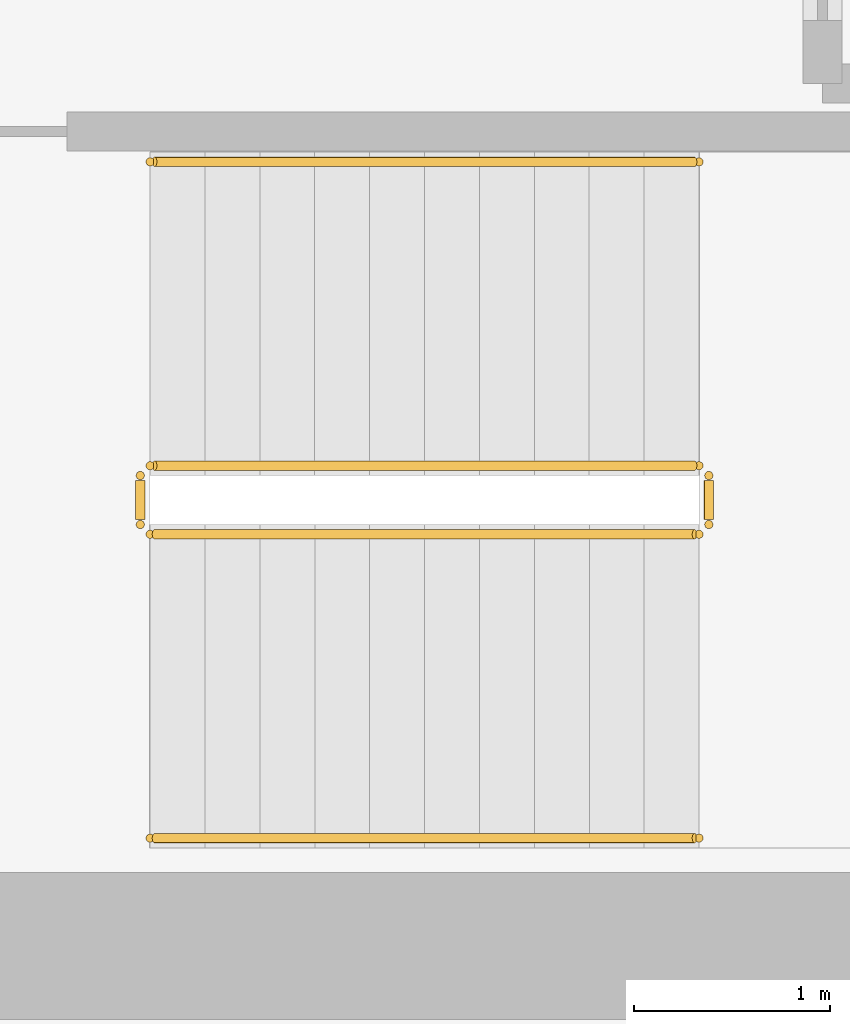
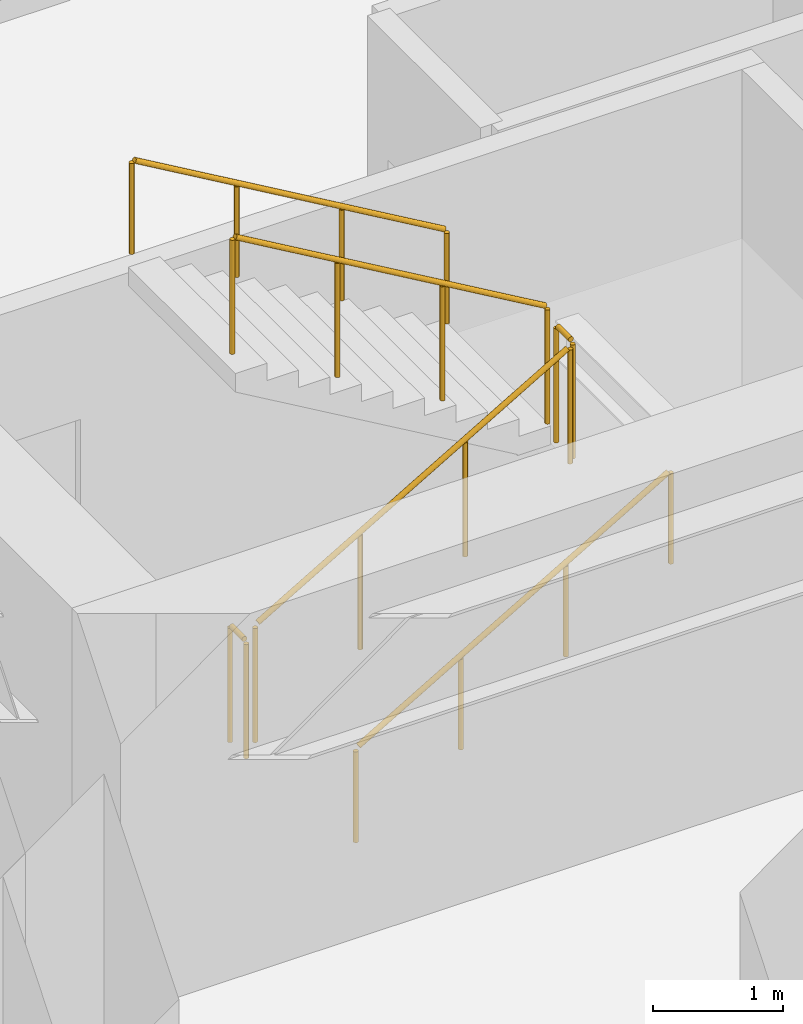
# One storey, part 14 of 14: 6 railings.
"""IFC4 building model written with IfcOpenShell, lengths in metres."""

from ifc_helpers import new_model, si_unit, direction, frame, origin, origin_2d, place, context, subcontext, project, spatial, circle, extrude, source, transform, mapped, material, layer, layer_set, type_object, element, save


model = new_model("IFC4")

# Units and contexts
model_context = context("Model", 3, precision=1e-05, world=origin(), true_north=direction((0.0, 1.0)))
body_context = subcontext(model_context, "Body", "Model", "MODEL_VIEW")
ifc_project = project(units=[si_unit("LENGTHUNIT", "METRE"), si_unit("AREAUNIT", "SQUARE_METRE"), si_unit("VOLUMEUNIT", "CUBIC_METRE"), si_unit("PLANEANGLEUNIT", "RADIAN"), si_unit("MASSUNIT", "GRAM", prefix="KILO")], contexts=[model_context])

# Site, building, storey
site_placement = place(None, origin())
site = spatial("IfcSite", under=ifc_project, at=site_placement, CompositionType="ELEMENT")
building_placement = place(site_placement, origin())
building = spatial("IfcBuilding", under=site, at=building_placement, Name="Kharzan Plaza Tower", CompositionType="ELEMENT")
storey_placement = place(building_placement, frame((0.0, 0.0, 81.0)))
storey = spatial("IfcBuildingStorey", under=building, at=storey_placement, Name="L21", CompositionType="ELEMENT", Elevation=81.0)

# Railings
ifc_material_1 = material(Name="Painted Galvanized Architectural Steel", Category="steel")
ifc_layer_1 = layer(ifc_material_1, 0.074951171875)
ifc_layer_set_1 = layer_set([ifc_layer_1], Name="Painted Galvanized Architectural Steel")
railing_type_1 = type_object("IfcRailingType", Name="RL-GUARD-1120", PredefinedType="BALUSTRADE", material=ifc_layer_set_1)
shared_shape_1 = source(origin(), body_context, "Body", "SweptSolid", [
    extrude(circle(Radius=0.02392578125, at=origin_2d()), frame((0.0, 0.0263671875, 1.09619140625), z_axis=(0.0, 1.0, 0.0), x_axis=(-1.0, 0.0, 0.0)), (0.0, 0.0, 1.0), 0.197021484375),
    extrude(circle(Radius=0.02099609375, at=origin_2d()), origin(), (0.0, 0.0, 1.0), 1.072021484375),
    extrude(circle(Radius=0.02099609375, at=origin_2d()), frame((0.0, 0.25, 0.0)), (0.0, 0.0, 1.0), 1.072021484375),
])
for number, where, name in (
    (1, (41.10009765625, 6.64990234375, 1.800048828125), "L21 ST-3 stair guard 2"),
    (2, (38.199951171875, 6.64990234375, 0.0), "L21 ST-3 stair guard 4"),
):
    element("IfcRailing", number, at=place(storey_placement, frame(where)), inside=storey, type_object=railing_type_1, Name=name, PredefinedType="BALUSTRADE", context=body_context, shape_type="MappedRepresentation", body=[
        mapped(shared_shape_1, transform((0.0, 0.0, 0.0), x_axis=(1.0, 0.0, 0.0), y_axis=(0.0, 1.0, 0.0), z_axis=(0.0, 0.0, 1.0))),
    ])
shared_shape_2 = source(origin(), body_context, "Body", "SweptSolid", [
    extrude(circle(Radius=0.02392578125, at=origin_2d()), frame((0.02294921875, 0.0, 1.109375), z_axis=(0.863360870873, 0.0, 0.504586966384), x_axis=(0.0, 1.0, 0.0)), (0.0, 0.0, 1.0), 3.190185546875),
    extrude(circle(Radius=0.02099609375, at=origin_2d()), origin(), (0.0, 0.0, 1.0), 1.072021484375),
    extrude(circle(Radius=0.02099609375, at=origin_2d()), frame((0.933349609375, 0.0, 0.54541015625)), (0.0, 0.0, 1.0), 1.072021484375),
    extrude(circle(Radius=0.02099609375, at=origin_2d()), frame((1.86669921875, 0.0, 1.091064453125)), (0.0, 0.0, 1.0), 1.072021484375),
    extrude(circle(Radius=0.02099609375, at=origin_2d()), frame((2.800048828125, 0.0, 1.636474609375)), (0.0, 0.0, 1.0), 1.072021484375),
])
railing_1_placement = place(storey_placement, frame((38.25, 6.60009765625, 0.16357421875)))
element("IfcRailing", 3, at=railing_1_placement, inside=storey, type_object=railing_type_1, Name="L21 ST-3 stair guard 1", PredefinedType="BALUSTRADE", context=body_context, shape_type="MappedRepresentation", body=[
    mapped(shared_shape_2, transform((0.0, 0.0, 0.0), x_axis=(1.0, 0.0, 0.0), y_axis=(0.0, 1.0, 0.0), z_axis=(0.0, 0.0, 1.0))),
])
shared_shape_3 = source(origin(), body_context, "Body", "SweptSolid", [
    extrude(circle(Radius=0.02392578125, at=origin_2d()), frame((-0.02294921875, 0.0, 1.109375), z_axis=(-0.863360870873, 0.0, 0.504586966384), x_axis=(0.0, -1.0, 0.0)), (0.0, 0.0, 1.0), 3.190185546875),
    extrude(circle(Radius=0.02099609375, at=origin_2d()), origin(), (0.0, 0.0, 1.0), 1.072021484375),
    extrude(circle(Radius=0.02099609375, at=origin_2d()), frame((-0.933349609375, 0.0, 0.54541015625)), (0.0, 0.0, 1.0), 1.072021484375),
    extrude(circle(Radius=0.02099609375, at=origin_2d()), frame((-1.86669921875, 0.0, 1.091064453125)), (0.0, 0.0, 1.0), 1.072021484375),
    extrude(circle(Radius=0.02099609375, at=origin_2d()), frame((-2.800048828125, 0.0, 1.636474609375)), (0.0, 0.0, 1.0), 1.072021484375),
])
railing_2_placement = place(storey_placement, frame((41.050048828125, 6.949951171875, 1.963623046875)))
element("IfcRailing", 4, at=railing_2_placement, inside=storey, type_object=railing_type_1, Name="L21 ST-3 stair guard 3", PredefinedType="BALUSTRADE", context=body_context, shape_type="MappedRepresentation", body=[
    mapped(shared_shape_3, transform((0.0, 0.0, 0.0), x_axis=(1.0, 0.0, 0.0), y_axis=(0.0, 1.0, 0.0), z_axis=(0.0, 0.0, 1.0))),
])
ifc_material_2 = material(Name="Brushed Stainless Steel", Category="steel")
ifc_layer_2 = layer(ifc_material_2, 0.050048828125)
ifc_layer_set_2 = layer_set([ifc_layer_2], Name="Brushed Stainless Steel")
railing_type_2 = type_object("IfcRailingType", Name="RL-STAIR-HR920", PredefinedType="HANDRAIL", material=ifc_layer_set_2)
shared_shape_4 = source(origin(), body_context, "Body", "SweptSolid", [
    extrude(circle(Radius=0.02392578125, at=origin_2d()), frame((0.02294921875, 0.0, 0.88916015625), z_axis=(0.863360870873, 0.0, 0.504586966384), x_axis=(0.0, 1.0, 0.0)), (0.0, 0.0, 1.0), 3.190185546875),
    extrude(circle(Radius=0.02099609375, at=origin_2d()), origin(), (0.0, 0.0, 1.0), 0.851806640625),
    extrude(circle(Radius=0.02099609375, at=origin_2d()), frame((0.933349609375, 0.0, 0.54541015625)), (0.0, 0.0, 1.0), 0.851806640625),
    extrude(circle(Radius=0.02099609375, at=origin_2d()), frame((1.86669921875, 0.0, 1.091064453125)), (0.0, 0.0, 1.0), 0.851806640625),
    extrude(circle(Radius=0.02099609375, at=origin_2d()), frame((2.800048828125, 0.0, 1.636474609375)), (0.0, 0.0, 1.0), 0.851806640625),
])
railing_3_placement = place(storey_placement, frame((38.25, 5.050048828125, 0.16357421875)))
element("IfcRailing", 5, at=railing_3_placement, inside=storey, type_object=railing_type_2, Name="L21 ST-3 stair handrail 1", PredefinedType="HANDRAIL", context=body_context, shape_type="MappedRepresentation", body=[
    mapped(shared_shape_4, transform((0.0, 0.0, 0.0), x_axis=(1.0, 0.0, 0.0), y_axis=(0.0, 1.0, 0.0), z_axis=(0.0, 0.0, 1.0))),
])
shared_shape_5 = source(origin(), body_context, "Body", "SweptSolid", [
    extrude(circle(Radius=0.02392578125, at=origin_2d()), frame((-0.02294921875, 0.0, 0.88916015625), z_axis=(-0.863360870873, 0.0, 0.504586966384), x_axis=(0.0, -1.0, 0.0)), (0.0, 0.0, 1.0), 3.190185546875),
    extrude(circle(Radius=0.02099609375, at=origin_2d()), origin(), (0.0, 0.0, 1.0), 0.851806640625),
    extrude(circle(Radius=0.02099609375, at=origin_2d()), frame((-0.933349609375, 0.0, 0.54541015625)), (0.0, 0.0, 1.0), 0.851806640625),
    extrude(circle(Radius=0.02099609375, at=origin_2d()), frame((-1.86669921875, 0.0, 1.091064453125)), (0.0, 0.0, 1.0), 0.851806640625),
    extrude(circle(Radius=0.02099609375, at=origin_2d()), frame((-2.800048828125, 0.0, 1.636474609375)), (0.0, 0.0, 1.0), 0.851806640625),
])
railing_4_placement = place(storey_placement, frame((41.050048828125, 8.5, 1.963623046875)))
element("IfcRailing", 6, at=railing_4_placement, inside=storey, type_object=railing_type_2, Name="L21 ST-3 stair handrail 2", PredefinedType="HANDRAIL", context=body_context, shape_type="MappedRepresentation", body=[
    mapped(shared_shape_5, transform((0.0, 0.0, 0.0), x_axis=(1.0, 0.0, 0.0), y_axis=(0.0, 1.0, 0.0), z_axis=(0.0, 0.0, 1.0))),
])

save(model, "model.ifc")
